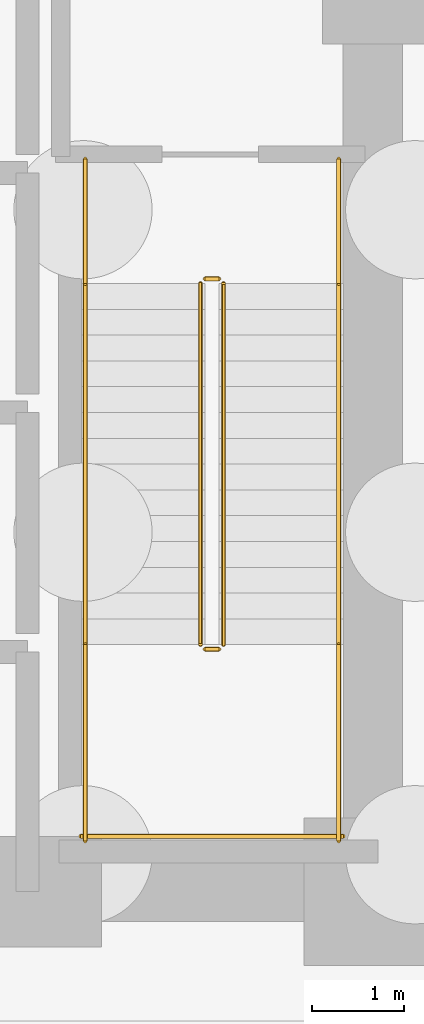
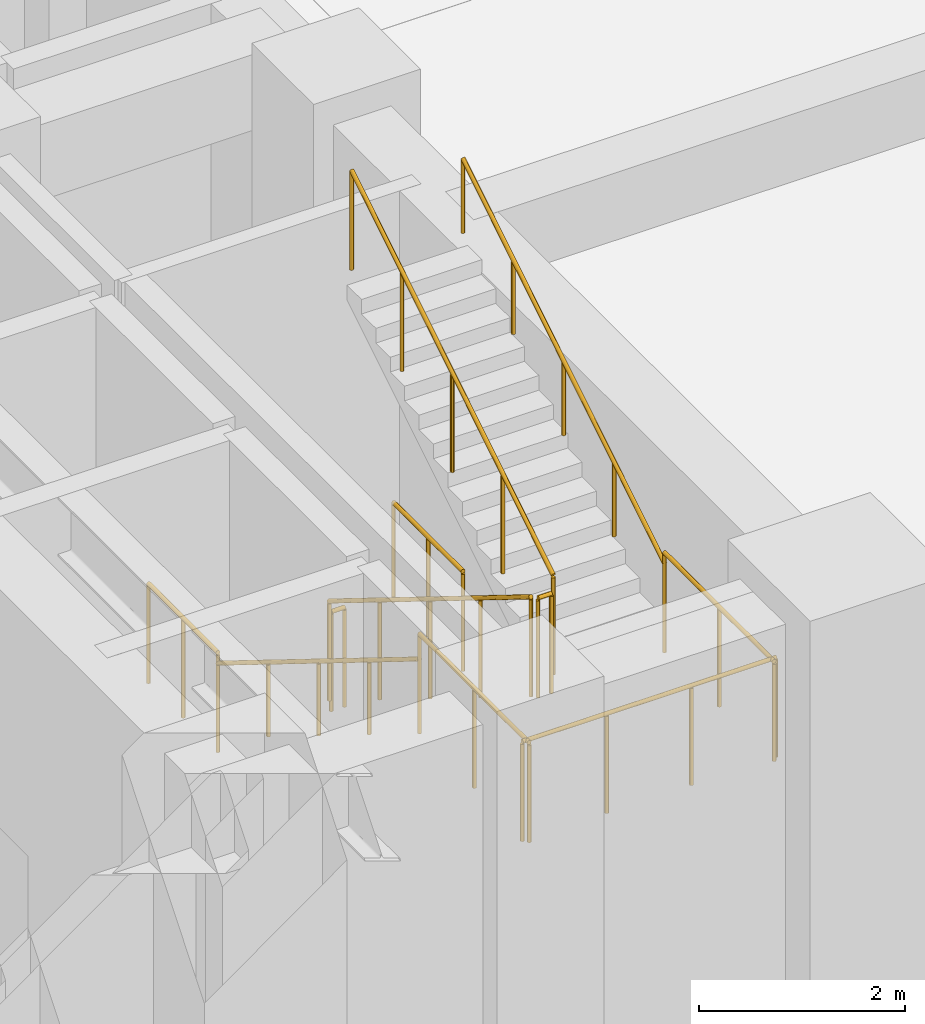
# One storey, part 10 of 11: 11 railings.
"""IFC4 building model written with IfcOpenShell, lengths in metres."""

from ifc_helpers import new_model, si_unit, direction, frame, origin, origin_2d, place, context, subcontext, project, spatial, circle, extrude, material, type_object, element, save


model = new_model("IFC4")

# Units and contexts
model_context = context("Model", 3, precision=1e-05, world=origin(), true_north=direction((0.0, 1.0)))
body_context = subcontext(model_context, "Body", "Model", "MODEL_VIEW")
ifc_project = project(units=[si_unit("LENGTHUNIT", "METRE"), si_unit("AREAUNIT", "SQUARE_METRE"), si_unit("VOLUMEUNIT", "CUBIC_METRE"), si_unit("PLANEANGLEUNIT", "RADIAN"), si_unit("MASSUNIT", "GRAM", prefix="KILO")], contexts=[model_context])

# Site, building, storey
site_placement = place(None, origin())
site = spatial("IfcSite", under=ifc_project, at=site_placement, CompositionType="ELEMENT")
building_placement = place(site_placement, origin())
building = spatial("IfcBuilding", under=site, at=building_placement, Name="Voryun Gate Residences", CompositionType="ELEMENT")
storey_placement = place(building_placement, frame((0.0, 0.0, -10.39990234375)))
storey = spatial("IfcBuildingStorey", under=building, at=storey_placement, Name="B02", CompositionType="ELEMENT", Elevation=-10.39990234375)

# Railings
ifc_material_1 = material(Name="Painted steel", Category="steel")
railing_type_1 = type_object("IfcRailingType", Name="RAIL_STAIR_GUARD_1200", PredefinedType="GUARDRAIL", material=ifc_material_1)
railing_1_placement = place(storey_placement, frame((17.27490234375, -0.800048828125, 0.17333984375)))
element("IfcRailing", 1, at=railing_1_placement, inside=storey, type_object=railing_type_1, Name="B02 ST-E1 stair guard 1", PredefinedType="GUARDRAIL", context=body_context, shape_type="SweptSolid", body=[
    extrude(circle(Radius=0.02392578125, at=origin_2d()), frame((0.0, 0.0, 1.17578125), z_axis=(0.0, -0.850275303828, 0.526338206574), x_axis=(1.0, 0.0, 0.0)), (0.0, 0.0, 1.0), 4.610107421875),
    extrude(circle(Radius=0.02099609375, at=origin_2d()), origin(), (0.0, 0.0, 1.0), 1.15185546875),
    extrude(circle(Radius=0.02099609375, at=origin_2d()), frame((0.0, -0.97998046875, 0.606689453125)), (0.0, 0.0, 1.0), 1.15185546875),
    extrude(circle(Radius=0.02099609375, at=origin_2d()), frame((0.0, -1.9599609375, 1.21337890625)), (0.0, 0.0, 1.0), 1.15185546875),
    extrude(circle(Radius=0.02099609375, at=origin_2d()), frame((0.0, -2.93994140625, 1.81982421875)), (0.0, 0.0, 1.0), 1.15185546875),
    extrude(circle(Radius=0.02099609375, at=origin_2d()), frame((0.0, -3.919921875, 2.426513671875)), (0.0, 0.0, 1.0), 1.15185546875),
])
railing_2_placement = place(storey_placement, frame((17.324951171875, -4.77001953125, 2.599853515625)))
element("IfcRailing", 2, at=railing_2_placement, inside=storey, type_object=railing_type_1, Name="B02 ST-E1 stair guard 2", PredefinedType="GUARDRAIL", context=body_context, shape_type="SweptSolid", body=[
    extrude(circle(Radius=0.02392578125, at=origin_2d()), frame((0.0, 0.0, 1.17578125), z_axis=(1.0, 0.0, 0.0), x_axis=(0.0, 1.0, 0.0)), (0.0, 0.0, 1.0), 0.150146484375),
    extrude(circle(Radius=0.02099609375, at=origin_2d()), origin(), (0.0, 0.0, 1.0), 1.15185546875),
    extrude(circle(Radius=0.02099609375, at=origin_2d()), frame((0.150146484375, 0.0, 0.0)), (0.0, 0.0, 1.0), 1.15185546875),
])
for number, where, name in (
    (3, (16.02490234375, -4.719970703125, 2.599853515625), "B02 ST-E1 stair guard 3"),
    (4, (18.77490234375, -4.719970703125, 2.599853515625), "B02 ST-E1 stair guard 4"),
):
    element("IfcRailing", number, at=place(storey_placement, frame(where)), inside=storey, type_object=railing_type_1, Name=name, PredefinedType="GUARDRAIL", context=body_context, shape_type="SweptSolid", body=[
        extrude(circle(Radius=0.02392578125, at=origin_2d()), frame((0.0, 0.0, 1.17578125), z_axis=(0.0, -1.0, 0.0), x_axis=(1.0, 0.0, 0.0)), (0.0, 0.0, 1.0), 2.130126953125),
        extrude(circle(Radius=0.02099609375, at=origin_2d()), origin(), (0.0, 0.0, 1.0), 1.15185546875),
        extrude(circle(Radius=0.02099609375, at=origin_2d()), frame((0.0, -1.06494140625, 0.0)), (0.0, 0.0, 1.0), 1.15185546875),
        extrude(circle(Radius=0.02099609375, at=origin_2d()), frame((0.0, -2.130126953125, 0.0)), (0.0, 0.0, 1.0), 1.15185546875),
    ])
railing_3_placement = place(storey_placement, frame((15.97509765625, -6.800048828125, 2.599853515625)))
element("IfcRailing", 5, at=railing_3_placement, inside=storey, type_object=railing_type_1, Name="B02 ST-E1 stair guard 5", PredefinedType="GUARDRAIL", context=body_context, shape_type="SweptSolid", body=[
    extrude(circle(Radius=0.02392578125, at=origin_2d()), frame((0.0, 0.0, 1.17578125), z_axis=(1.0, 0.0, 0.0), x_axis=(0.0, 1.0, 0.0)), (0.0, 0.0, 1.0), 2.849853515625),
    extrude(circle(Radius=0.02099609375, at=origin_2d()), origin(), (0.0, 0.0, 1.0), 1.15185546875),
    extrude(circle(Radius=0.02099609375, at=origin_2d()), frame((0.949951171875, 0.0, 0.0)), (0.0, 0.0, 1.0), 1.15185546875),
    extrude(circle(Radius=0.02099609375, at=origin_2d()), frame((1.89990234375, 0.0, 0.0)), (0.0, 0.0, 1.0), 1.15185546875),
    extrude(circle(Radius=0.02099609375, at=origin_2d()), frame((2.849853515625, 0.0, 0.0)), (0.0, 0.0, 1.0), 1.15185546875),
])
railing_4_placement = place(storey_placement, frame((17.52490234375, -4.719970703125, 2.773193359375)))
element("IfcRailing", 6, at=railing_4_placement, inside=storey, type_object=railing_type_1, Name="B02 ST-E1 stair guard 6", PredefinedType="GUARDRAIL", context=body_context, shape_type="SweptSolid", body=[
    extrude(circle(Radius=0.02392578125, at=origin_2d()), frame((0.0, 0.0, 1.17578125), z_axis=(0.0, 0.850251603719, 0.526376491091), x_axis=(-1.0, 0.0, 0.0)), (0.0, 0.0, 1.0), 4.6103515625),
    extrude(circle(Radius=0.02099609375, at=origin_2d()), origin(), (0.0, 0.0, 1.0), 1.15185546875),
    extrude(circle(Radius=0.02099609375, at=origin_2d()), frame((0.0, 0.97998046875, 0.606689453125)), (0.0, 0.0, 1.0), 1.15185546875),
    extrude(circle(Radius=0.02099609375, at=origin_2d()), frame((0.0, 1.9599609375, 1.21337890625)), (0.0, 0.0, 1.0), 1.15185546875),
    extrude(circle(Radius=0.02099609375, at=origin_2d()), frame((0.0, 2.93994140625, 1.820068359375)), (0.0, 0.0, 1.0), 1.15185546875),
    extrude(circle(Radius=0.02099609375, at=origin_2d()), frame((0.0, 3.919921875, 2.4267578125)), (0.0, 0.0, 1.0), 1.15185546875),
])
railing_5_placement = place(storey_placement, frame((17.324951171875, -0.75, 0.0)))
element("IfcRailing", 7, at=railing_5_placement, inside=storey, type_object=railing_type_1, Name="B02 ST-E1 stair guard 7", PredefinedType="GUARDRAIL", context=body_context, shape_type="SweptSolid", body=[
    extrude(circle(Radius=0.02392578125, at=origin_2d()), frame((0.0, 0.0, 1.17578125), z_axis=(1.0, 0.0, 0.0), x_axis=(0.0, 1.0, 0.0)), (0.0, 0.0, 1.0), 0.150146484375),
    extrude(circle(Radius=0.02099609375, at=origin_2d()), origin(), (0.0, 0.0, 1.0), 1.15185546875),
    extrude(circle(Radius=0.02099609375, at=origin_2d()), frame((0.150146484375, 0.0, 0.0)), (0.0, 0.0, 1.0), 1.15185546875),
])
for number, where, name in (
    (8, (16.02490234375, 0.550048828125, 0.0), "B02 ST-E1 stair guard 8"),
    (9, (18.77490234375, 0.550048828125, 0.0), "B02 ST-E1 stair guard 9"),
):
    element("IfcRailing", number, at=place(storey_placement, frame(where)), inside=storey, type_object=railing_type_1, Name=name, PredefinedType="GUARDRAIL", context=body_context, shape_type="SweptSolid", body=[
        extrude(circle(Radius=0.02392578125, at=origin_2d()), frame((0.0, 0.0, 1.17578125), z_axis=(0.0, -1.0, 0.0), x_axis=(1.0, 0.0, 0.0)), (0.0, 0.0, 1.0), 1.35009765625),
        extrude(circle(Radius=0.02099609375, at=origin_2d()), origin(), (0.0, 0.0, 1.0), 1.15185546875),
        extrude(circle(Radius=0.02099609375, at=origin_2d()), frame((0.0, -0.675048828125, 0.0)), (0.0, 0.0, 1.0), 1.15185546875),
        extrude(circle(Radius=0.02099609375, at=origin_2d()), frame((0.0, -1.35009765625, 0.0)), (0.0, 0.0, 1.0), 1.15185546875),
    ])
ifc_material_2 = material(Name="Painted steel", Category="steel")
railing_type_2 = type_object("IfcRailingType", Name="RAIL_STAIR_HANDRAIL_900", PredefinedType="HANDRAIL", material=ifc_material_2)
railing_6_placement = place(storey_placement, frame((16.02490234375, -0.800048828125, 0.17333984375)))
element("IfcRailing", 10, at=railing_6_placement, inside=storey, type_object=railing_type_2, Name="B02 ST-E1 stair handrail 1", PredefinedType="HANDRAIL", context=body_context, shape_type="SweptSolid", body=[
    extrude(circle(Radius=0.02392578125, at=origin_2d()), frame((0.0, 0.0, 0.8759765625), z_axis=(0.0, -0.850275303828, 0.526338206574), x_axis=(1.0, 0.0, 0.0)), (0.0, 0.0, 1.0), 4.610107421875),
    extrude(circle(Radius=0.02099609375, at=origin_2d()), origin(), (0.0, 0.0, 1.0), 0.851806640625),
    extrude(circle(Radius=0.02099609375, at=origin_2d()), frame((0.0, -0.97998046875, 0.606689453125)), (0.0, 0.0, 1.0), 0.851806640625),
    extrude(circle(Radius=0.02099609375, at=origin_2d()), frame((0.0, -1.9599609375, 1.21337890625)), (0.0, 0.0, 1.0), 0.851806640625),
    extrude(circle(Radius=0.02099609375, at=origin_2d()), frame((0.0, -2.93994140625, 1.81982421875)), (0.0, 0.0, 1.0), 0.851806640625),
    extrude(circle(Radius=0.02099609375, at=origin_2d()), frame((0.0, -3.919921875, 2.426513671875)), (0.0, 0.0, 1.0), 0.851806640625),
])
railing_7_placement = place(storey_placement, frame((18.77490234375, -4.719970703125, 2.773193359375)))
element("IfcRailing", 11, at=railing_7_placement, inside=storey, type_object=railing_type_2, Name="B02 ST-E1 stair handrail 2", PredefinedType="HANDRAIL", context=body_context, shape_type="SweptSolid", body=[
    extrude(circle(Radius=0.02392578125, at=origin_2d()), frame((0.0, 0.0, 0.8759765625), z_axis=(0.0, 0.850251603719, 0.526376491091), x_axis=(-1.0, 0.0, 0.0)), (0.0, 0.0, 1.0), 4.6103515625),
    extrude(circle(Radius=0.02099609375, at=origin_2d()), origin(), (0.0, 0.0, 1.0), 0.851806640625),
    extrude(circle(Radius=0.02099609375, at=origin_2d()), frame((0.0, 0.97998046875, 0.606689453125)), (0.0, 0.0, 1.0), 0.851806640625),
    extrude(circle(Radius=0.02099609375, at=origin_2d()), frame((0.0, 1.9599609375, 1.21337890625)), (0.0, 0.0, 1.0), 0.851806640625),
    extrude(circle(Radius=0.02099609375, at=origin_2d()), frame((0.0, 2.93994140625, 1.820068359375)), (0.0, 0.0, 1.0), 0.851806640625),
    extrude(circle(Radius=0.02099609375, at=origin_2d()), frame((0.0, 3.919921875, 2.4267578125)), (0.0, 0.0, 1.0), 0.851806640625),
])

save(model, "model.ifc")
